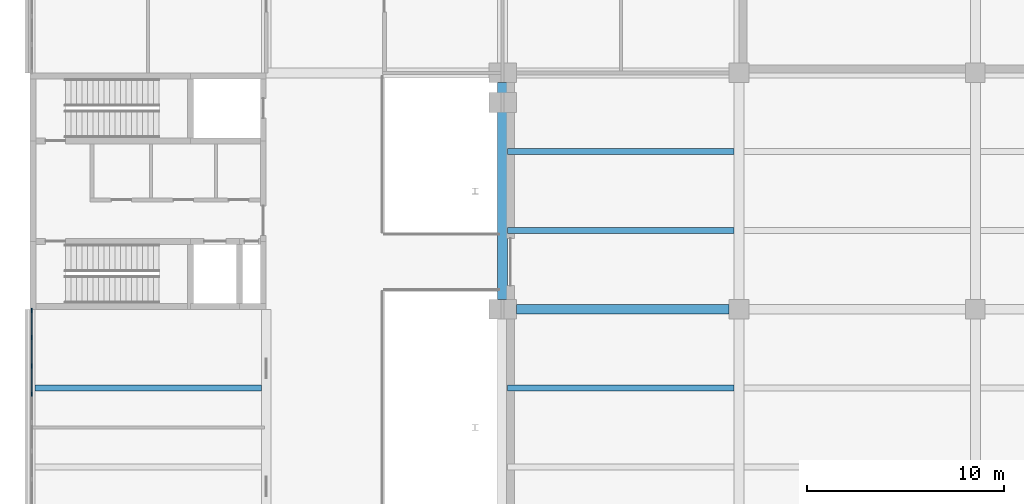
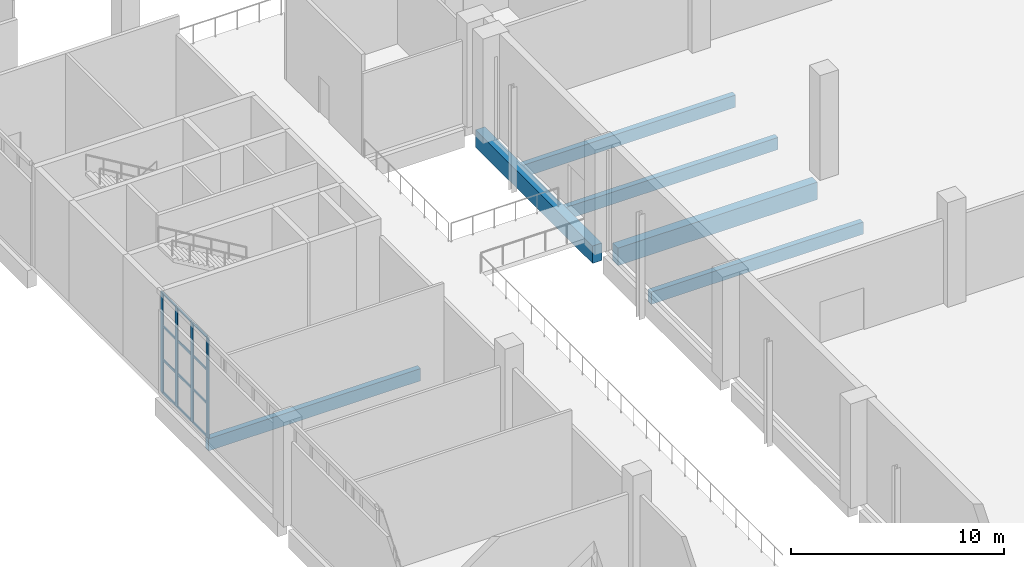
# One storey, part 32 of 72: 16 members, 6 beams, 1 element without a shape of its own.
"""IFC4 building model written with IfcOpenShell, lengths in metres."""

from ifc_helpers import new_model, si_unit, direction, frame, origin, origin_2d, place, context, subcontext, project, spatial, rectangle, extrude, material, layer, layer_set, material_profile, profile_set, type_object, element, aggregate, save


model = new_model("IFC4")

# Units and contexts
model_context = context("Model", 3, precision=1e-05, world=origin(), true_north=direction((0.0, 1.0)))
body_context = subcontext(model_context, "Body", "Model", "MODEL_VIEW")
ifc_project = project(units=[si_unit("LENGTHUNIT", "METRE"), si_unit("AREAUNIT", "SQUARE_METRE"), si_unit("VOLUMEUNIT", "CUBIC_METRE"), si_unit("PLANEANGLEUNIT", "RADIAN"), si_unit("MASSUNIT", "GRAM", prefix="KILO")], contexts=[model_context])

# Site, building, storey
site_placement = place(None, origin())
site = spatial("IfcSite", under=ifc_project, at=site_placement, CompositionType="ELEMENT")
building_placement = place(site_placement, origin())
building = spatial("IfcBuilding", under=site, at=building_placement, Name="Lilac Gate Convention Centre", CompositionType="ELEMENT")
storey_placement = place(building_placement, frame((0.0, 0.0, 6.0)))
storey = spatial("IfcBuildingStorey", under=building, at=storey_placement, Name="L01", CompositionType="ELEMENT", Elevation=6.0)

# Curtain wall, members
ifc_material_1 = material(Name="Aluminium framed double glazing", Category="aluminium")
ifc_layer = layer(ifc_material_1, 0.199951171875)
ifc_layer_set = layer_set([ifc_layer], Name="Aluminium framed double glazing")
curtain_wall_type = type_object("IfcCurtainWallType", Name="Unitised curtain wall 1500", PredefinedType="NOTDEFINED", material=ifc_layer_set)
curtain_wall_placement = place(storey_placement, origin())
curtain_wall = element("IfcCurtainWall", 1, at=curtain_wall_placement, inside=storey, type_object=curtain_wall_type, Name="Curtain wall PW L01 1", PredefinedType="NOTDEFINED")
ifc_material_2 = material(Name="Aluminium alloy 6063", Category="aluminium")
ifc_material_profile_1 = material_profile(ifc_material_2, rectangle(XDim=0.06005859375, YDim=0.219970703125, at=origin_2d()), Name="Curtain wall mullion 60 x 220")
ifc_profile_set_1 = profile_set([ifc_material_profile_1], Name="Aluminium alloy 6063")
member_type_1 = type_object("IfcMemberType", Name="Curtain wall mullion 60 x 220", PredefinedType="MULLION", material=ifc_profile_set_1)
member_1_placement = place(storey_placement, frame((6.10009765625, 209.93994140625, 0.0), z_axis=(0.0, 0.0, 1.0), x_axis=(1.0, 0.0, 0.0)))
member_1 = element("IfcMember", 2, at=member_1_placement, type_object=member_type_1, Name="CW mullion 1", PredefinedType="MULLION", context=body_context, shape_type="SweptSolid", body=[
    extrude(rectangle(XDim=0.06005859375, YDim=0.219970703125, at=origin_2d()), origin(), (0.0, 0.0, 1.0), 5.75),
])
member_2_placement = place(storey_placement, frame((6.10009765625, 208.5625, 0.0), z_axis=(0.0, 0.0, 1.0), x_axis=(1.0, 0.0, 0.0)))
member_2 = element("IfcMember", 3, at=member_2_placement, type_object=member_type_1, Name="CW mullion 2", PredefinedType="MULLION", context=body_context, shape_type="SweptSolid", body=[
    extrude(rectangle(XDim=0.06005859375, YDim=0.219970703125, at=origin_2d()), origin(), (0.0, 0.0, 1.0), 5.75),
])
member_3_placement = place(storey_placement, frame((6.10009765625, 207.125, 0.0), z_axis=(0.0, 0.0, 1.0), x_axis=(1.0, 0.0, 0.0)))
member_3 = element("IfcMember", 4, at=member_3_placement, type_object=member_type_1, Name="CW mullion 3", PredefinedType="MULLION", context=body_context, shape_type="SweptSolid", body=[
    extrude(rectangle(XDim=0.06005859375, YDim=0.219970703125, at=origin_2d()), origin(), (0.0, 0.0, 1.0), 5.75),
])
member_4_placement = place(storey_placement, frame((6.10009765625, 205.6875, 0.0), z_axis=(0.0, 0.0, 1.0), x_axis=(1.0, 0.0, 0.0)))
member_4 = element("IfcMember", 5, at=member_4_placement, type_object=member_type_1, Name="CW mullion 4", PredefinedType="MULLION", context=body_context, shape_type="SweptSolid", body=[
    extrude(rectangle(XDim=0.06005859375, YDim=0.219970703125, at=origin_2d()), origin(), (0.0, 0.0, 1.0), 5.75),
])
ifc_material_profile_2 = material_profile(ifc_material_2, rectangle(XDim=0.06005859375, YDim=0.1201171875, at=origin_2d()), Name="Curtain wall transom 60 x 120")
ifc_profile_set_2 = profile_set([ifc_material_profile_2], Name="Aluminium alloy 6063")
member_type_2 = type_object("IfcMemberType", Name="Curtain wall transom 60 x 120", PredefinedType="USERDEFINED", material=ifc_profile_set_2)
member_5_placement = place(storey_placement, frame((6.10009765625, 209.93994140625, 0.030029296875), z_axis=(0.0, -1.0, 0.0), x_axis=(1.0, 0.0, 0.0)))
member_5 = element("IfcMember", 6, at=member_5_placement, type_object=member_type_2, Name="CW transom 1.1", ObjectType="TRANSOM", PredefinedType="USERDEFINED", context=body_context, shape_type="SweptSolid", body=[
    extrude(rectangle(XDim=0.06005859375, YDim=0.1201171875, at=origin_2d()), origin(), (0.0, 0.0, 1.0), 1.347412109375),
])
member_6_placement = place(storey_placement, frame((6.10009765625, 209.93994140625, 1.916748046875), z_axis=(0.0, -1.0, 0.0), x_axis=(1.0, 0.0, 0.0)))
member_6 = element("IfcMember", 7, at=member_6_placement, type_object=member_type_2, Name="CW transom 1.2", ObjectType="TRANSOM", PredefinedType="USERDEFINED", context=body_context, shape_type="SweptSolid", body=[
    extrude(rectangle(XDim=0.06005859375, YDim=0.1201171875, at=origin_2d()), origin(), (0.0, 0.0, 1.0), 1.347412109375),
])
member_7_placement = place(storey_placement, frame((6.10009765625, 209.93994140625, 3.833251953125), z_axis=(0.0, -1.0, 0.0), x_axis=(1.0, 0.0, 0.0)))
member_7 = element("IfcMember", 8, at=member_7_placement, type_object=member_type_2, Name="CW transom 1.3", ObjectType="TRANSOM", PredefinedType="USERDEFINED", context=body_context, shape_type="SweptSolid", body=[
    extrude(rectangle(XDim=0.06005859375, YDim=0.1201171875, at=origin_2d()), origin(), (0.0, 0.0, 1.0), 1.347412109375),
])
member_8_placement = place(storey_placement, frame((6.10009765625, 209.93994140625, 5.719970703125), z_axis=(0.0, -1.0, 0.0), x_axis=(1.0, 0.0, 0.0)))
member_8 = element("IfcMember", 9, at=member_8_placement, type_object=member_type_2, Name="CW transom 1.4", ObjectType="TRANSOM", PredefinedType="USERDEFINED", context=body_context, shape_type="SweptSolid", body=[
    extrude(rectangle(XDim=0.06005859375, YDim=0.1201171875, at=origin_2d()), origin(), (0.0, 0.0, 1.0), 1.347412109375),
])
member_9_placement = place(storey_placement, frame((6.10009765625, 208.532470703125, 0.030029296875), z_axis=(0.0, -1.0, 0.0), x_axis=(1.0, 0.0, 0.0)))
member_9 = element("IfcMember", 10, at=member_9_placement, type_object=member_type_2, Name="CW transom 2.1", ObjectType="TRANSOM", PredefinedType="USERDEFINED", context=body_context, shape_type="SweptSolid", body=[
    extrude(rectangle(XDim=0.06005859375, YDim=0.1201171875, at=origin_2d()), origin(), (0.0, 0.0, 1.0), 1.37744140625),
])
member_10_placement = place(storey_placement, frame((6.10009765625, 208.532470703125, 1.916748046875), z_axis=(0.0, -1.0, 0.0), x_axis=(1.0, 0.0, 0.0)))
member_10 = element("IfcMember", 11, at=member_10_placement, type_object=member_type_2, Name="CW transom 2.2", ObjectType="TRANSOM", PredefinedType="USERDEFINED", context=body_context, shape_type="SweptSolid", body=[
    extrude(rectangle(XDim=0.06005859375, YDim=0.1201171875, at=origin_2d()), origin(), (0.0, 0.0, 1.0), 1.37744140625),
])
member_11_placement = place(storey_placement, frame((6.10009765625, 208.532470703125, 3.833251953125), z_axis=(0.0, -1.0, 0.0), x_axis=(1.0, 0.0, 0.0)))
member_11 = element("IfcMember", 12, at=member_11_placement, type_object=member_type_2, Name="CW transom 2.3", ObjectType="TRANSOM", PredefinedType="USERDEFINED", context=body_context, shape_type="SweptSolid", body=[
    extrude(rectangle(XDim=0.06005859375, YDim=0.1201171875, at=origin_2d()), origin(), (0.0, 0.0, 1.0), 1.37744140625),
])
member_12_placement = place(storey_placement, frame((6.10009765625, 208.532470703125, 5.719970703125), z_axis=(0.0, -1.0, 0.0), x_axis=(1.0, 0.0, 0.0)))
member_12 = element("IfcMember", 13, at=member_12_placement, type_object=member_type_2, Name="CW transom 2.4", ObjectType="TRANSOM", PredefinedType="USERDEFINED", context=body_context, shape_type="SweptSolid", body=[
    extrude(rectangle(XDim=0.06005859375, YDim=0.1201171875, at=origin_2d()), origin(), (0.0, 0.0, 1.0), 1.37744140625),
])
member_13_placement = place(storey_placement, frame((6.10009765625, 207.094970703125, 0.030029296875), z_axis=(0.0, -1.0, 0.0), x_axis=(1.0, 0.0, 0.0)))
member_13 = element("IfcMember", 14, at=member_13_placement, type_object=member_type_2, Name="CW transom 3.1", ObjectType="TRANSOM", PredefinedType="USERDEFINED", context=body_context, shape_type="SweptSolid", body=[
    extrude(rectangle(XDim=0.06005859375, YDim=0.1201171875, at=origin_2d()), origin(), (0.0, 0.0, 1.0), 1.37744140625),
])
member_14_placement = place(storey_placement, frame((6.10009765625, 207.094970703125, 1.916748046875), z_axis=(0.0, -1.0, 0.0), x_axis=(1.0, 0.0, 0.0)))
member_14 = element("IfcMember", 15, at=member_14_placement, type_object=member_type_2, Name="CW transom 3.2", ObjectType="TRANSOM", PredefinedType="USERDEFINED", context=body_context, shape_type="SweptSolid", body=[
    extrude(rectangle(XDim=0.06005859375, YDim=0.1201171875, at=origin_2d()), origin(), (0.0, 0.0, 1.0), 1.37744140625),
])
member_15_placement = place(storey_placement, frame((6.10009765625, 207.094970703125, 3.833251953125), z_axis=(0.0, -1.0, 0.0), x_axis=(1.0, 0.0, 0.0)))
member_15 = element("IfcMember", 16, at=member_15_placement, type_object=member_type_2, Name="CW transom 3.3", ObjectType="TRANSOM", PredefinedType="USERDEFINED", context=body_context, shape_type="SweptSolid", body=[
    extrude(rectangle(XDim=0.06005859375, YDim=0.1201171875, at=origin_2d()), origin(), (0.0, 0.0, 1.0), 1.37744140625),
])
member_16_placement = place(storey_placement, frame((6.10009765625, 207.094970703125, 5.719970703125), z_axis=(0.0, -1.0, 0.0), x_axis=(1.0, 0.0, 0.0)))
member_16 = element("IfcMember", 17, at=member_16_placement, type_object=member_type_2, Name="CW transom 3.4", ObjectType="TRANSOM", PredefinedType="USERDEFINED", context=body_context, shape_type="SweptSolid", body=[
    extrude(rectangle(XDim=0.06005859375, YDim=0.1201171875, at=origin_2d()), origin(), (0.0, 0.0, 1.0), 1.37744140625),
])
aggregate(curtain_wall, [member_1, member_2, member_3, member_4, member_5, member_6, member_7, member_8, member_9, member_10, member_11, member_12, member_13, member_14, member_15, member_16])

# Beams
ifc_material_3 = material(Name="Concrete C40", Category="concrete")
ifc_material_profile_3 = material_profile(ifc_material_3, rectangle(XDim=0.5, YDim=1.0, at=origin_2d()), Name="RC 500x1000")
ifc_profile_set_3 = profile_set([ifc_material_profile_3], Name="Concrete C40")
beam_type_1 = type_object("IfcBeamType", Name="Primary beam 500x1000 C40", PredefinedType="BEAM", material=ifc_profile_set_3)
beam_1_placement = place(storey_placement, frame((30.699951171875, 210.0, -0.75), z_axis=(1.0, 0.0, 0.0), x_axis=(0.0, 1.0, 0.0)))
element("IfcBeam", 18, at=beam_1_placement, inside=storey, type_object=beam_type_1, Name="RB1 L01 3/R-4/R", PredefinedType="BEAM", context=body_context, shape_type="SweptSolid", body=[
    extrude(rectangle(XDim=0.5, YDim=1.0, at=origin_2d()), origin(), (0.0, 0.0, 1.0), 10.800048828125),
])
beam_2_placement = place(storey_placement, frame((30.0, 210.5, -0.75), z_axis=(0.0, 1.0, 0.0), x_axis=(-1.0, 0.0, 0.0)))
element("IfcBeam", 19, at=beam_2_placement, inside=storey, type_object=beam_type_1, Name="RB1 L01 3/R-3/S", PredefinedType="BEAM", context=body_context, shape_type="SweptSolid", body=[
    extrude(rectangle(XDim=0.5, YDim=1.0, at=origin_2d()), origin(), (0.0, 0.0, 1.0), 11.0),
])
ifc_material_profile_4 = material_profile(ifc_material_3, rectangle(XDim=0.300048828125, YDim=0.699951171875, at=origin_2d()), Name="RC 300x700")
ifc_profile_set_4 = profile_set([ifc_material_profile_4], Name="Concrete C40")
beam_type_2 = type_object("IfcBeamType", Name="Secondary beam 300x700 C40", PredefinedType="BEAM", material=ifc_profile_set_4)
for number, where, z_axis, x_axis, name in (
    (20, (6.25, 206.0, -0.60009765625), (1.0, 0.0, 0.0), (0.0, 1.0, 0.0), "RB2 L01 bay 1/Q"),
    (21, (30.25, 206.0, -0.60009765625), (1.0, 0.0, 0.0), (0.0, 1.0, 0.0), "RB2 L01 bay 3/Q"),
    (22, (30.25, 214.0, -0.60009765625), (1.0, 0.0, 0.0), (0.0, 1.0, 0.0), "RB2 L01 bay 3/R"),
    (23, (30.25, 218.0, -0.60009765625), (1.0, 0.0, 0.0), (0.0, 1.0, 0.0), "RB2 L01 bay 3/R"),
):
    element("IfcBeam", number, at=place(storey_placement, frame(where, z_axis=z_axis, x_axis=x_axis)), inside=storey, type_object=beam_type_2, Name=name, PredefinedType="BEAM", context=body_context, shape_type="SweptSolid", body=[
        extrude(rectangle(XDim=0.300048828125, YDim=0.699951171875, at=origin_2d()), origin(), (0.0, 0.0, 1.0), 11.5),
    ])

save(model, "model.ifc")
